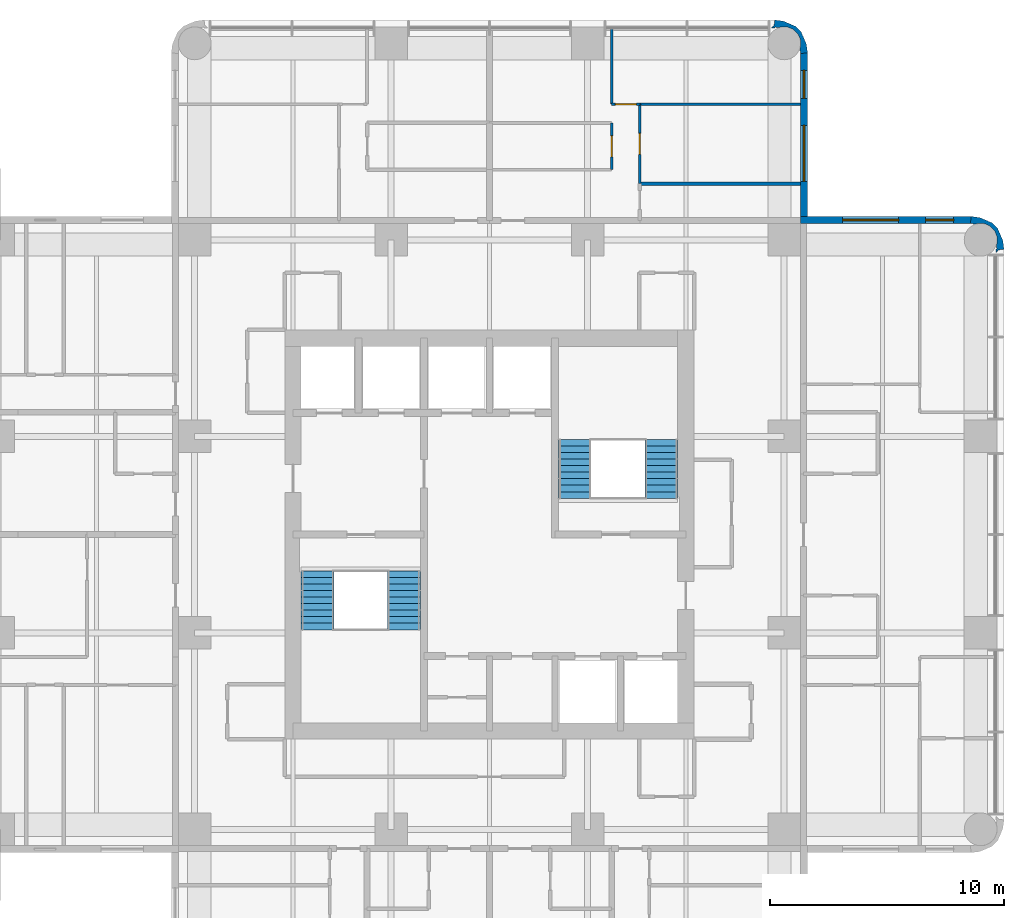
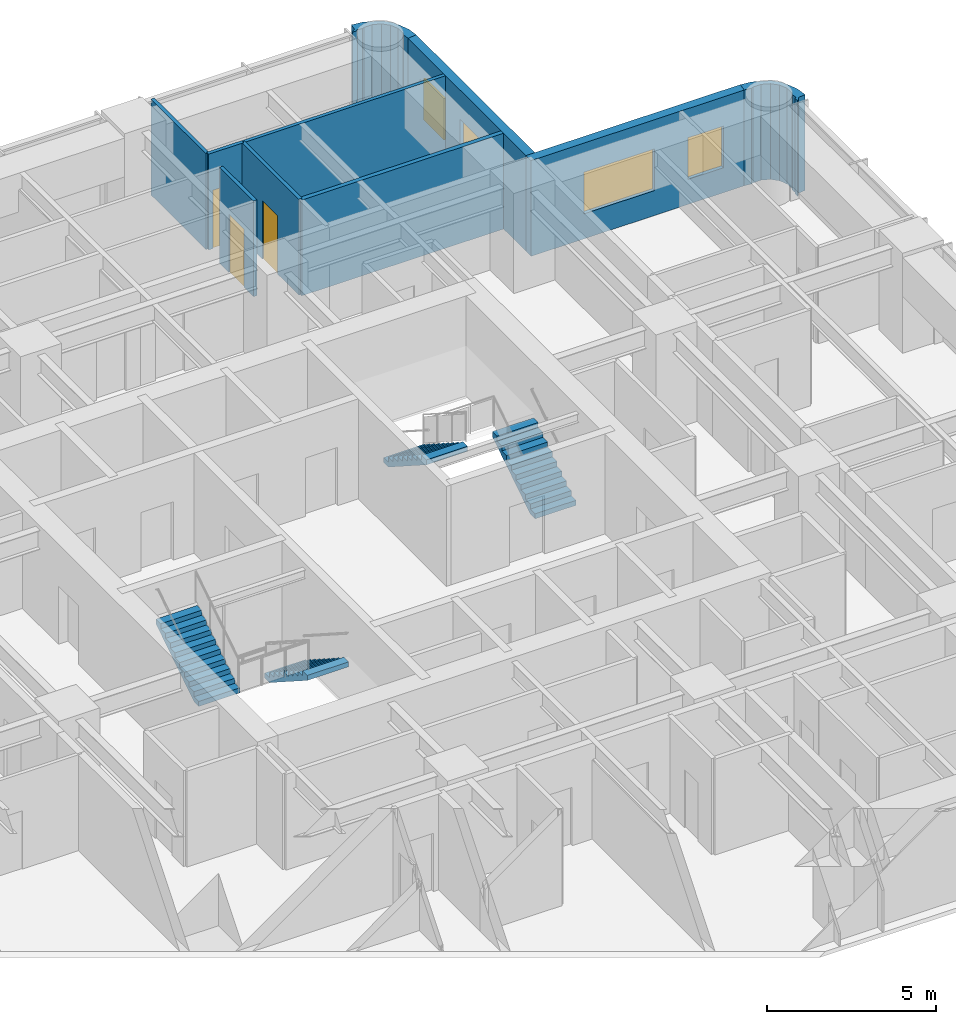
# One storey, part 10 of 11: 10 walls, 4 stair flights, 4 windows, 3 doors, 7 openings, 2 elements without a shape of their own.
"""IFC4 building model written with IfcOpenShell, lengths in metres."""

from ifc_helpers import new_model, si_unit, direction, frame, frame_2d, origin, place, context, subcontext, project, spatial, polyline, rectangle, outline, extrude, material, layer, layer_set, type_object, element, fill, aggregate, save


model = new_model("IFC4")

# Units and contexts
model_context = context("Model", 3, precision=1e-05, world=origin(), true_north=direction((0.0, 1.0)))
body_context = subcontext(model_context, "Body", "Model", "MODEL_VIEW")
ifc_project = project(units=[si_unit("LENGTHUNIT", "METRE"), si_unit("AREAUNIT", "SQUARE_METRE"), si_unit("VOLUMEUNIT", "CUBIC_METRE"), si_unit("PLANEANGLEUNIT", "RADIAN"), si_unit("MASSUNIT", "GRAM", prefix="KILO")], contexts=[model_context])

# Site, building, storey
site_placement = place(None, origin())
site = spatial("IfcSite", under=ifc_project, at=site_placement, CompositionType="ELEMENT")
building_placement = place(site_placement, origin())
building = spatial("IfcBuilding", under=site, at=building_placement, Name="Torre Alcanfor", CompositionType="ELEMENT")
storey_placement = place(building_placement, frame((0.0, 0.0, 233.699951171875)))
storey = spatial("IfcBuildingStorey", under=building, at=storey_placement, Name="L61", CompositionType="ELEMENT", Elevation=233.699951171875)

# Wall, opening, door
ifc_material_1 = material(Name="Gypsum board on steel studs", Category="steel")
ifc_layer_1 = layer(ifc_material_1, 0.1201171875)
ifc_layer_set_1 = layer_set([ifc_layer_1], Name="Apartment partition 120")
wall_type_1 = type_object("IfcWallType", Name="Apartment partition 120", PredefinedType="PARTITIONING", material=ifc_layer_set_1)
wall_1_placement = place(storey_placement, frame((34.62890625, 47.0, 0.0), z_axis=(0.0, 0.0, 1.0), x_axis=(0.0, -1.0, 0.0)))
wall_1 = element("IfcWall", 1, at=wall_1_placement, inside=storey, type_object=wall_type_1, Name="Partition L61-N2-KITCHEN / L61-N2-LIVING", PredefinedType="PARTITIONING", context=body_context, shape_type="SweptSolid", body=[
    extrude(rectangle(XDim=2.0, YDim=0.1201171875, at=frame_2d((1.0, 0.0))), origin(), (0.0, 0.0, 1.0), 3.449951171875),
])
opening_1_placement = place(wall_1_placement, frame((0.550048828125, 0.0, 0.0)))
opening_1 = element("IfcOpeningElement", 2, at=opening_1_placement, cuts=wall_1, Name="Opening D-R1", PredefinedType="OPENING", context=body_context, shape_type="SweptSolid", body=[
    extrude(rectangle(XDim=0.89990234375, YDim=2.10009765625, at=frame_2d((0.449951171875, 1.050048828125))), frame((0.0, 0.070068359375, 0.0), z_axis=(0.0, -1.0, 0.0), x_axis=(1.0, 0.0, 0.0)), (0.0, 0.0, 1.0), 0.14013671875),
])
ifc_material_2 = material(Name="Timber", Category="wood")
door_type = type_object("IfcDoorType", Name="Internal door 900x2100", OperationType="SINGLE_SWING_LEFT", PredefinedType="DOOR", material=ifc_material_2)
door_1_placement = place(opening_1_placement, frame((0.89990234375, 0.0, 0.0), z_axis=(0.0, 0.0, 1.0), x_axis=(-1.0, 0.0, 0.0)))
door_1 = element("IfcDoor", 3, at=door_1_placement, inside=storey, type_object=door_type, Name="Door L61-N2 kitchen", OperationType="SINGLE_SWING_RIGHT", OverallHeight=2.10009765625, OverallWidth=0.89990234375, PredefinedType="DOOR", context=body_context, shape_type="SweptSolid", body=[
    extrude(rectangle(XDim=0.89990234375, YDim=2.10009765625, at=frame_2d((0.449951171875, 1.050048828125))), frame((0.0, 0.025146484375, 0.0), z_axis=(0.0, -1.0, 0.0), x_axis=(1.0, 0.0, 0.0)), (0.0, 0.0, 1.0), 0.050048828125),
])
fill(opening_1, door_1)

wall_2_placement = place(storey_placement, frame((35.8291015625, 47.800048828125, 0.0), z_axis=(0.0, 0.0, 1.0), x_axis=(0.0, -1.0, 0.0)))
wall_2 = element("IfcWall", 4, at=wall_2_placement, inside=storey, type_object=wall_type_1, Name="Partition L61-N2-LIVING / L61-N2-STUDY", PredefinedType="PARTITIONING", context=body_context, shape_type="SweptSolid", body=[
    extrude(rectangle(XDim=3.400146484375, YDim=0.1201171875, at=frame_2d((1.7001953125, 0.0))), origin(), (0.0, 0.0, 1.0), 3.449951171875),
])
opening_2_placement = place(wall_2_placement, frame((1.25, 0.0, 0.0)))
opening_2 = element("IfcOpeningElement", 5, at=opening_2_placement, cuts=wall_2, Name="Opening D-R1", PredefinedType="OPENING", context=body_context, shape_type="SweptSolid", body=[
    extrude(rectangle(XDim=0.89990234375, YDim=2.10009765625, at=frame_2d((0.449951171875, 1.050048828125))), frame((0.0, 0.070068359375, 0.0), z_axis=(0.0, -1.0, 0.0), x_axis=(1.0, 0.0, 0.0)), (0.0, 0.0, 1.0), 0.14013671875),
])
door_2_placement = place(opening_2_placement, origin())
door_2 = element("IfcDoor", 6, at=door_2_placement, inside=storey, type_object=door_type, Name="Door L61-N2 study", OperationType="SINGLE_SWING_LEFT", OverallHeight=2.10009765625, OverallWidth=0.89990234375, PredefinedType="DOOR", context=body_context, shape_type="SweptSolid", body=[
    extrude(rectangle(XDim=0.89990234375, YDim=2.10009765625, at=frame_2d((0.449951171875, 1.050048828125))), frame((0.0, 0.02490234375, 0.0), z_axis=(0.0, -1.0, 0.0), x_axis=(1.0, 0.0, 0.0)), (0.0, 0.0, 1.0), 0.050048828125),
])
fill(opening_2, door_2)

# Wall
wall_3_placement = place(storey_placement, frame((34.62890625, 51.050048828125, 0.0), z_axis=(0.0, 0.0, 1.0), x_axis=(0.0, -1.0, 0.0)))
element("IfcWall", 7, at=wall_3_placement, inside=storey, type_object=wall_type_1, Name="Partition L61-N2-LIVING / L61-N2-MASTER", PredefinedType="PARTITIONING", context=body_context, shape_type="SweptSolid", body=[
    extrude(rectangle(XDim=3.25, YDim=0.1201171875, at=frame_2d((1.625, 0.0))), origin(), (0.0, 0.0, 1.0), 3.449951171875),
])

# Wall, opening, door
wall_4_placement = place(storey_placement, frame((34.62890625, 47.800048828125, 0.0), z_axis=(0.0, 0.0, 1.0), x_axis=(1.0, 0.0, 0.0)))
wall_4 = element("IfcWall", 8, at=wall_4_placement, inside=storey, type_object=wall_type_1, Name="Partition L61-N2-LIVING / L61-N2-MASTER", PredefinedType="PARTITIONING", context=body_context, shape_type="SweptSolid", body=[
    extrude(rectangle(XDim=1.2001953125, YDim=0.1201171875, at=frame_2d((0.60009765625, 0.0))), origin(), (0.0, 0.0, 1.0), 3.449951171875),
])
opening_3_placement = place(wall_4_placement, frame((0.15087890625, 0.0, 0.0)))
opening_3 = element("IfcOpeningElement", 9, at=opening_3_placement, cuts=wall_4, Name="Opening D-R1", PredefinedType="OPENING", context=body_context, shape_type="SweptSolid", body=[
    extrude(rectangle(XDim=0.89990234375, YDim=2.10009765625, at=frame_2d((0.449951171875, 1.050048828125))), frame((0.0, 0.070068359375, 0.0), z_axis=(0.0, -1.0, 0.0), x_axis=(1.0, 0.0, 0.0)), (0.0, 0.0, 1.0), 0.14013671875),
])
door_3_placement = place(opening_3_placement, origin())
door_3 = element("IfcDoor", 10, at=door_3_placement, inside=storey, type_object=door_type, Name="Door L61-N2 master", OperationType="SINGLE_SWING_LEFT", OverallHeight=2.10009765625, OverallWidth=0.89990234375, PredefinedType="DOOR", context=body_context, shape_type="SweptSolid", body=[
    extrude(rectangle(XDim=0.89990234375, YDim=2.10009765625, at=frame_2d((0.449951171875, 1.050048828125))), frame((0.0, 0.02490234375, 0.0), z_axis=(0.0, -1.0, 0.0), x_axis=(1.0, 0.0, 0.0)), (0.0, 0.0, 1.0), 0.050048828125),
])
fill(opening_3, door_3)

# Wall
wall_5_placement = place(storey_placement, frame((35.8291015625, 47.800048828125, 0.0), z_axis=(0.0, 0.0, 1.0), x_axis=(1.0, 0.0, 0.0)))
element("IfcWall", 11, at=wall_5_placement, inside=storey, type_object=wall_type_1, Name="Partition L61-N2-STUDY / L61-N2-MASTER", PredefinedType="PARTITIONING", context=body_context, shape_type="SweptSolid", body=[
    extrude(rectangle(XDim=6.870849609375, YDim=0.1201171875, at=frame_2d((3.435546875, 0.0))), origin(), (0.0, 0.0, 1.0), 3.449951171875),
])

# Wall, openings, windows
ifc_material_3 = material(Name="Limestone cladding", Category="masonry")
ifc_layer_2 = layer(ifc_material_3, 0.0400390625, Name="Facing")
ifc_material_4 = material(Name="Ventilated air cavity")
ifc_layer_3 = layer(ifc_material_4, 0.02001953125, ventilated=True, Name="Ventilated joint")
ifc_material_5 = material(Name="Mineral wool insulation", Category="insulation")
ifc_layer_4 = layer(ifc_material_5, 0.10009765625, Name="Insulation")
ifc_material_6 = material(Name="Concrete f'c 35 MPa", Category="concrete")
ifc_layer_5 = layer(ifc_material_6, 0.139892578125, Name="Backing")
ifc_layer_set_2 = layer_set([ifc_layer_2, ifc_layer_3, ifc_layer_4, ifc_layer_5], Name="External wall stone-clad 300")
wall_type_2 = type_object("IfcWallType", Name="External wall stone-clad 300", PredefinedType="SOLIDWALL", material=ifc_layer_set_2)
wall_6_placement = place(storey_placement, frame((50.0, 42.85009765625, 0.0), z_axis=(0.0, 0.0, 1.0), x_axis=(-1.0, 0.0, 0.0)))
wall_6 = element("IfcWall", 12, at=wall_6_placement, inside=storey, type_object=wall_type_2, Name="External wall L61 9", PredefinedType="SOLIDWALL", context=body_context, shape_type="SweptSolid", body=[
    extrude(rectangle(XDim=7.300048828125, YDim=0.300048828125, at=frame_2d((3.64990234375, 0.0))), origin(), (0.0, 0.0, 1.0), 3.449951171875),
])
opening_4_placement = place(wall_6_placement, frame((3.10009765625, 0.0, 0.89990234375)))
opening_4 = element("IfcOpeningElement", 13, at=opening_4_placement, cuts=wall_6, Name="Opening W1", PredefinedType="OPENING", context=body_context, shape_type="SweptSolid", body=[
    extrude(rectangle(XDim=2.39990234375, YDim=1.5, at=frame_2d((1.199951171875, 0.75))), frame((0.0, 0.159912109375, 0.0), z_axis=(0.0, -1.0, 0.0), x_axis=(1.0, 0.0, 0.0)), (0.0, 0.0, 1.0), 0.320068359375),
])
opening_5_placement = place(wall_6_placement, frame((0.75, 0.0, 0.89990234375)))
opening_5 = element("IfcOpeningElement", 14, at=opening_5_placement, cuts=wall_6, Name="Opening W4", PredefinedType="OPENING", context=body_context, shape_type="SweptSolid", body=[
    extrude(rectangle(XDim=1.199951171875, YDim=1.5, at=frame_2d((0.60009765625, 0.75))), frame((0.0, 0.159912109375, 0.0), z_axis=(0.0, -1.0, 0.0), x_axis=(1.0, 0.0, 0.0)), (0.0, 0.0, 1.0), 0.320068359375),
])
ifc_material_7 = material(Name="Aluminium frame with clear double glazing", Category="aluminium")
window_type_1 = type_object("IfcWindowType", Name="Window bedroom 1200x1500", PartitioningType="SINGLE_PANEL", PredefinedType="WINDOW", material=ifc_material_7)
window_1_placement = place(opening_5_placement, origin())
window_1 = element("IfcWindow", 15, at=window_1_placement, inside=storey, type_object=window_type_1, Name="Window W4 L61-E1", OverallHeight=1.5, OverallWidth=1.199951171875, PartitioningType="SINGLE_PANEL", PredefinedType="WINDOW", context=body_context, shape_type="SweptSolid", body=[
    extrude(rectangle(XDim=1.199951171875, YDim=1.5, at=frame_2d((0.60009765625, 0.75))), frame((0.0, 0.030029296875, 0.0), z_axis=(0.0, -1.0, 0.0), x_axis=(1.0, 0.0, 0.0)), (0.0, 0.0, 1.0), 0.06005859375),
])
fill(opening_5, window_1)
ifc_material_8 = material(Name="Aluminium frame with clear double glazing", Category="aluminium")
window_type_2 = type_object("IfcWindowType", Name="Window bedroom 2400x1500", PartitioningType="SINGLE_PANEL", PredefinedType="WINDOW", material=ifc_material_8)
window_2_placement = place(opening_4_placement, origin())
window_2 = element("IfcWindow", 16, at=window_2_placement, inside=storey, type_object=window_type_2, Name="Window W1 L61-E1", OverallHeight=1.5, OverallWidth=2.39990234375, PartitioningType="SINGLE_PANEL", PredefinedType="WINDOW", context=body_context, shape_type="SweptSolid", body=[
    extrude(rectangle(XDim=2.39990234375, YDim=1.5, at=frame_2d((1.199951171875, 0.75))), frame((0.0, 0.030029296875, 0.0), z_axis=(0.0, -1.0, 0.0), x_axis=(1.0, 0.0, 0.0)), (0.0, 0.0, 1.0), 0.06005859375),
])
fill(opening_4, window_2)

wall_7_placement = place(storey_placement, frame((42.85009765625, 43.0, 0.0), z_axis=(0.0, 0.0, 1.0), x_axis=(0.0, 1.0, 0.0)))
wall_7 = element("IfcWall", 17, at=wall_7_placement, inside=storey, type_object=wall_type_2, Name="External wall L61 10", PredefinedType="SOLIDWALL", context=body_context, shape_type="SweptSolid", body=[
    extrude(rectangle(XDim=7.0, YDim=0.300048828125, at=frame_2d((3.5, 0.0))), origin(), (0.0, 0.0, 1.0), 3.449951171875),
])
opening_6_placement = place(wall_7_placement, frame((1.5, 0.0, 0.89990234375)))
opening_6 = element("IfcOpeningElement", 18, at=opening_6_placement, cuts=wall_7, Name="Opening W1", PredefinedType="OPENING", context=body_context, shape_type="SweptSolid", body=[
    extrude(rectangle(XDim=2.39990234375, YDim=1.5, at=frame_2d((1.199951171875, 0.75))), frame((0.0, 0.159912109375, 0.0), z_axis=(0.0, -1.0, 0.0), x_axis=(1.0, 0.0, 0.0)), (0.0, 0.0, 1.0), 0.320068359375),
])
opening_7_placement = place(wall_7_placement, frame((5.050048828125, 0.0, 0.89990234375)))
opening_7 = element("IfcOpeningElement", 19, at=opening_7_placement, cuts=wall_7, Name="Opening W4", PredefinedType="OPENING", context=body_context, shape_type="SweptSolid", body=[
    extrude(rectangle(XDim=1.199951171875, YDim=1.5, at=frame_2d((0.60009765625, 0.75))), frame((0.0, 0.159912109375, 0.0), z_axis=(0.0, -1.0, 0.0), x_axis=(1.0, 0.0, 0.0)), (0.0, 0.0, 1.0), 0.320068359375),
])
window_3_placement = place(opening_7_placement, origin())
window_3 = element("IfcWindow", 20, at=window_3_placement, inside=storey, type_object=window_type_1, Name="Window W4 L61-N2", OverallHeight=1.5, OverallWidth=1.199951171875, PartitioningType="SINGLE_PANEL", PredefinedType="WINDOW", context=body_context, shape_type="SweptSolid", body=[
    extrude(rectangle(XDim=1.199951171875, YDim=1.5, at=frame_2d((0.60009765625, 0.75))), frame((0.0, 0.030029296875, 0.0), z_axis=(0.0, -1.0, 0.0), x_axis=(1.0, 0.0, 0.0)), (0.0, 0.0, 1.0), 0.06005859375),
])
fill(opening_7, window_3)
window_4_placement = place(opening_6_placement, origin())
window_4 = element("IfcWindow", 21, at=window_4_placement, inside=storey, type_object=window_type_2, Name="Window W1 L61-N2", OverallHeight=1.5, OverallWidth=2.39990234375, PartitioningType="SINGLE_PANEL", PredefinedType="WINDOW", context=body_context, shape_type="SweptSolid", body=[
    extrude(rectangle(XDim=2.39990234375, YDim=1.5, at=frame_2d((1.199951171875, 0.75))), frame((0.0, 0.030029296875, 0.0), z_axis=(0.0, -1.0, 0.0), x_axis=(1.0, 0.0, 0.0)), (0.0, 0.0, 1.0), 0.06005859375),
])
fill(opening_6, window_4)

# Walls
ifc_layer_6 = layer(ifc_material_3, 0.0400390625, Name="Facing")
ifc_layer_7 = layer(ifc_material_4, 0.02001953125, ventilated=True, Name="Ventilated joint")
ifc_layer_8 = layer(ifc_material_5, 0.10009765625, Name="Insulation")
ifc_layer_9 = layer(ifc_material_6, 0.139892578125, Name="Backing")
ifc_layer_set_3 = layer_set([ifc_layer_6, ifc_layer_7, ifc_layer_8, ifc_layer_9], Name="Rounded corner pier stone-clad 300")
wall_type_3 = type_object("IfcWallType", Name="Rounded corner pier stone-clad 300", PredefinedType="SOLIDWALL", material=ifc_layer_set_3)
wall_8_placement = place(storey_placement, frame((50.98815184, 41.487674505, 0.0), z_axis=(0.0, 0.0, 1.0), x_axis=(0.898030234854, 0.439933741929, 0.0)))
element("IfcWall", 22, at=wall_8_placement, inside=storey, type_object=wall_type_3, Name="Corner pier L61 18", PredefinedType="SOLIDWALL", context=body_context, shape_type="SweptSolid", body=[
    extrude(outline(polyline([(0.13762845900144902, -0.0395605783475044), (0.18185793649134802, -0.00033087416050568697), (0.41922313919285215, -0.08018355093564442), (0.535860291835806, 0.2661211239178742), (0.5587746083679793, 0.6308813409414961), (0.5545700157158291, 0.6511558966825934), (0.5663920082639611, 0.8356681075750403), (0.45545119814889223, 1.159160361177863), (0.33312688681130387, 1.297925592490813), (0.32402252373636403, 1.3165225487705126), (0.08234923743790223, 1.5906923948786469), (-0.22206721491752535, 1.7928353560160377), (-0.38958661601048106, 1.540782159618673), (-0.3718277173231749, 1.5320822980229156), (-0.19464371431186422, 1.4142897687749243), (-0.11970407362674929, 1.4096575385515544), (0.13067447329798665, 1.2870002306212465), (0.31526160288378063, 1.0777694581339308), (0.4057356995697948, 0.8140544036891404), (0.38812563637514036, 0.5355946934281371), (0.26546832844483254, 0.28521614650340116), (0.2089867161004748, 0.23540500505176065), (0.14757776297591008, 0.05289210976982966), (0.10504410439149783, 0.07372881532016215), (0.03190082356790798, -0.07557748105089318), (0.13762845900144902, -0.0395605783475044)])), origin(), (0.0, 0.0, 1.0), 3.449951171875),
])
wall_9_placement = place(storey_placement, frame((42.724211819, 50.110315272, 0.0), z_axis=(0.0, 0.0, 1.0), x_axis=(0.439933741929, 0.898030234854, 0.0)))
element("IfcWall", 23, at=wall_9_placement, inside=storey, type_object=wall_type_3, Name="Corner pier L61 19", PredefinedType="SOLIDWALL", context=body_context, shape_type="SweptSolid", body=[
    extrude(outline(polyline([(-0.14525732426811072, -0.04414433895897353), (0.0222620768248451, -0.29619753535633836), (0.3266785291802725, -0.09405457421894756), (0.5683518154787345, 0.1801152718891868), (0.5774561785536743, 0.19871222816888634), (0.6997804898912626, 0.33747745948183633), (0.8107213000063315, 0.6609697130846591), (0.7988993074581994, 0.8454819239771059), (0.8031039001103497, 0.8657564797182034), (0.7801895835781762, 1.2305166967418253), (0.6635524309352225, 1.5768213715953436), (0.42618722823371835, 1.496968694820205), (0.38195775074381944, 1.5361983990072037), (0.2762301153102783, 1.5722153017105926), (0.3493733961338682, 1.4229090053395372), (0.39190705471828047, 1.4437457108898697), (0.45331600784284515, 1.2612328156079387), (0.5097976201872029, 1.2114216741562982), (0.6324549281175107, 0.9610431272315622), (0.6500649913121652, 0.6825834169705589), (0.559590894626151, 0.4188683625257686), (0.37500376504035704, 0.20963759003845278), (0.1246252181156211, 0.08698028210814499), (0.04968557743050611, 0.08234805188477495), (-0.12749842558080457, -0.035444477363216154), (-0.14525732426811072, -0.04414433895897353)])), origin(), (0.0, 0.0, 1.0), 3.449951171875),
])
ifc_material_9 = material(Name="Cement board on steel studs", Category="steel")
ifc_layer_10 = layer(ifc_material_9, 0.14990234375)
ifc_layer_set_4 = layer_set([ifc_layer_10], Name="Wet area partition 150")
wall_type_4 = type_object("IfcWallType", Name="Wet area partition 150", PredefinedType="PARTITIONING", material=ifc_layer_set_4)
wall_10_placement = place(storey_placement, frame((35.8291015625, 44.39990234375, 0.0), z_axis=(0.0, 0.0, 1.0), x_axis=(1.0, 0.0, 0.0)))
element("IfcWall", 24, at=wall_10_placement, inside=storey, type_object=wall_type_4, Name="Partition L61-N2-BATH / L61-N2-STUDY", PredefinedType="PARTITIONING", context=body_context, shape_type="SweptSolid", body=[
    extrude(rectangle(XDim=6.870849609375, YDim=0.14990234375, at=frame_2d((3.435546875, 0.0))), origin(), (0.0, 0.0, 1.0), 3.449951171875),
])

# Stair, stair flights
ifc_material_10 = material(Name="Concrete f'c 35 MPa", Category="concrete")
stair_type_1 = type_object("IfcStairType", Name="Exit stair S1 1400 wide", PredefinedType="HALF_TURN_STAIR", material=ifc_material_10)
stair_1_placement = place(storey_placement, origin())
stair_1 = element("IfcStair", 25, at=stair_1_placement, inside=storey, type_object=stair_type_1, Name="Stair S1 L61 to L62", PredefinedType="HALF_TURN_STAIR")
ifc_material_11 = material(Name="Concrete f'c 35 MPa", Category="concrete")
stair_flight_type = type_object("IfcStairFlightType", Name="Stair flight 1400", PredefinedType="STRAIGHT", material=ifc_material_11)
stair_flight_1_placement = place(storey_placement, frame((25.75, 27.85009765625, 0.0), z_axis=(0.0, 0.0, 1.0), x_axis=(0.0, -1.0, 0.0)))
stair_flight_1 = element("IfcStairFlight", 26, at=stair_flight_1_placement, type_object=stair_flight_type, Name="S1 flight 1", NumberOfRisers=10, NumberOfTreads=9, PredefinedType="STRAIGHT", RiserHeight=0.18, TreadLength=0.28, context=body_context, shape_type="SweptSolid", body=[
    extrude(outline(polyline([(0.0, 0.0), (0.0, 0.179931640625), (0.280029296875, 0.179931640625), (0.280029296875, 0.360107421875), (0.56005859375, 0.360107421875), (0.56005859375, 0.5400390625), (0.840087890625, 0.5400390625), (0.840087890625, 0.719970703125), (1.1201171875, 0.719970703125), (1.1201171875, 0.89990234375), (1.39990234375, 0.89990234375), (1.39990234375, 1.080078125), (1.679931640625, 1.080078125), (1.679931640625, 1.260009765625), (1.9599609375, 1.260009765625), (1.9599609375, 1.43994140625), (2.239990234375, 1.43994140625), (2.239990234375, 1.6201171875), (2.52001953125, 1.6201171875), (2.52001953125, 1.800048828125), (2.52001953125, 1.44189453125), (0.277099609375, 0.0), (0.0, 0.0)])), frame((0.0, 0.699951171875, 0.0), z_axis=(0.0, -1.0, 0.0), x_axis=(1.0, 0.0, 0.0)), (0.0, 0.0, 1.0), 1.39990234375),
])
stair_flight_2_placement = place(storey_placement, frame((22.050048828125, 25.330078125, 1.800048828125), z_axis=(0.0, 0.0, 1.0), x_axis=(0.0, 1.0, 0.0)))
stair_flight_2 = element("IfcStairFlight", 27, at=stair_flight_2_placement, type_object=stair_flight_type, Name="S1 flight 2", NumberOfRisers=10, NumberOfTreads=9, PredefinedType="STRAIGHT", RiserHeight=0.18, TreadLength=0.28, context=body_context, shape_type="SweptSolid", body=[
    extrude(outline(polyline([(0.0, 0.0), (0.0, 0.179931640625), (0.280029296875, 0.179931640625), (0.280029296875, 0.360107421875), (0.56005859375, 0.360107421875), (0.56005859375, 0.5400390625), (0.840087890625, 0.5400390625), (0.840087890625, 0.719970703125), (1.1201171875, 0.719970703125), (1.1201171875, 0.89990234375), (1.39990234375, 0.89990234375), (1.39990234375, 1.080078125), (1.679931640625, 1.080078125), (1.679931640625, 1.260009765625), (1.9599609375, 1.260009765625), (1.9599609375, 1.43994140625), (2.239990234375, 1.43994140625), (2.239990234375, 1.6201171875), (2.52001953125, 1.6201171875), (2.52001953125, 1.800048828125), (2.52001953125, 1.44189453125), (0.277099609375, 0.0), (0.0, 0.0)])), frame((0.0, 0.699951171875, 0.0), z_axis=(0.0, -1.0, 0.0), x_axis=(1.0, 0.0, 0.0)), (0.0, 0.0, 1.0), 1.39990234375),
])
aggregate(stair_1, [stair_flight_1, stair_flight_2])

ifc_material_12 = material(Name="Concrete f'c 35 MPa", Category="concrete")
stair_type_2 = type_object("IfcStairType", Name="Exit stair S2 1400 wide", PredefinedType="HALF_TURN_STAIR", material=ifc_material_12)
stair_2_placement = place(storey_placement, origin())
stair_2 = element("IfcStair", 28, at=stair_2_placement, inside=storey, type_object=stair_type_2, Name="Stair S2 L61 to L62", PredefinedType="HALF_TURN_STAIR")
stair_flight_3_placement = place(storey_placement, frame((36.75, 30.949951171875, 0.0), z_axis=(0.0, 0.0, 1.0), x_axis=(0.0, 1.0, 0.0)))
stair_flight_3 = element("IfcStairFlight", 29, at=stair_flight_3_placement, type_object=stair_flight_type, Name="S2 flight 1", NumberOfRisers=10, NumberOfTreads=9, PredefinedType="STRAIGHT", RiserHeight=0.18, TreadLength=0.28, context=body_context, shape_type="SweptSolid", body=[
    extrude(outline(polyline([(0.0, 0.0), (0.0, 0.179931640625), (0.280029296875, 0.179931640625), (0.280029296875, 0.360107421875), (0.56005859375, 0.360107421875), (0.56005859375, 0.5400390625), (0.840087890625, 0.5400390625), (0.840087890625, 0.719970703125), (1.1201171875, 0.719970703125), (1.1201171875, 0.89990234375), (1.39990234375, 0.89990234375), (1.39990234375, 1.080078125), (1.679931640625, 1.080078125), (1.679931640625, 1.260009765625), (1.9599609375, 1.260009765625), (1.9599609375, 1.43994140625), (2.239990234375, 1.43994140625), (2.239990234375, 1.6201171875), (2.52001953125, 1.6201171875), (2.52001953125, 1.800048828125), (2.52001953125, 1.44189453125), (0.277099609375, 0.0), (0.0, 0.0)])), frame((0.0, 0.699951171875, 0.0), z_axis=(0.0, -1.0, 0.0), x_axis=(1.0, 0.0, 0.0)), (0.0, 0.0, 1.0), 1.39990234375),
])
stair_flight_4_placement = place(storey_placement, frame((33.050048828125, 33.469970703125, 1.800048828125), z_axis=(0.0, 0.0, 1.0), x_axis=(0.0, -1.0, 0.0)))
stair_flight_4 = element("IfcStairFlight", 30, at=stair_flight_4_placement, type_object=stair_flight_type, Name="S2 flight 2", NumberOfRisers=10, NumberOfTreads=9, PredefinedType="STRAIGHT", RiserHeight=0.18, TreadLength=0.28, context=body_context, shape_type="SweptSolid", body=[
    extrude(outline(polyline([(0.0, 0.0), (0.0, 0.179931640625), (0.280029296875, 0.179931640625), (0.280029296875, 0.360107421875), (0.56005859375, 0.360107421875), (0.56005859375, 0.5400390625), (0.840087890625, 0.5400390625), (0.840087890625, 0.719970703125), (1.1201171875, 0.719970703125), (1.1201171875, 0.89990234375), (1.39990234375, 0.89990234375), (1.39990234375, 1.080078125), (1.679931640625, 1.080078125), (1.679931640625, 1.260009765625), (1.9599609375, 1.260009765625), (1.9599609375, 1.43994140625), (2.239990234375, 1.43994140625), (2.239990234375, 1.6201171875), (2.52001953125, 1.6201171875), (2.52001953125, 1.800048828125), (2.52001953125, 1.44189453125), (0.277099609375, 0.0), (0.0, 0.0)])), frame((0.0, 0.699951171875, 0.0), z_axis=(0.0, -1.0, 0.0), x_axis=(1.0, 0.0, 0.0)), (0.0, 0.0, 1.0), 1.39990234375),
])
aggregate(stair_2, [stair_flight_3, stair_flight_4])

save(model, "model.ifc")
